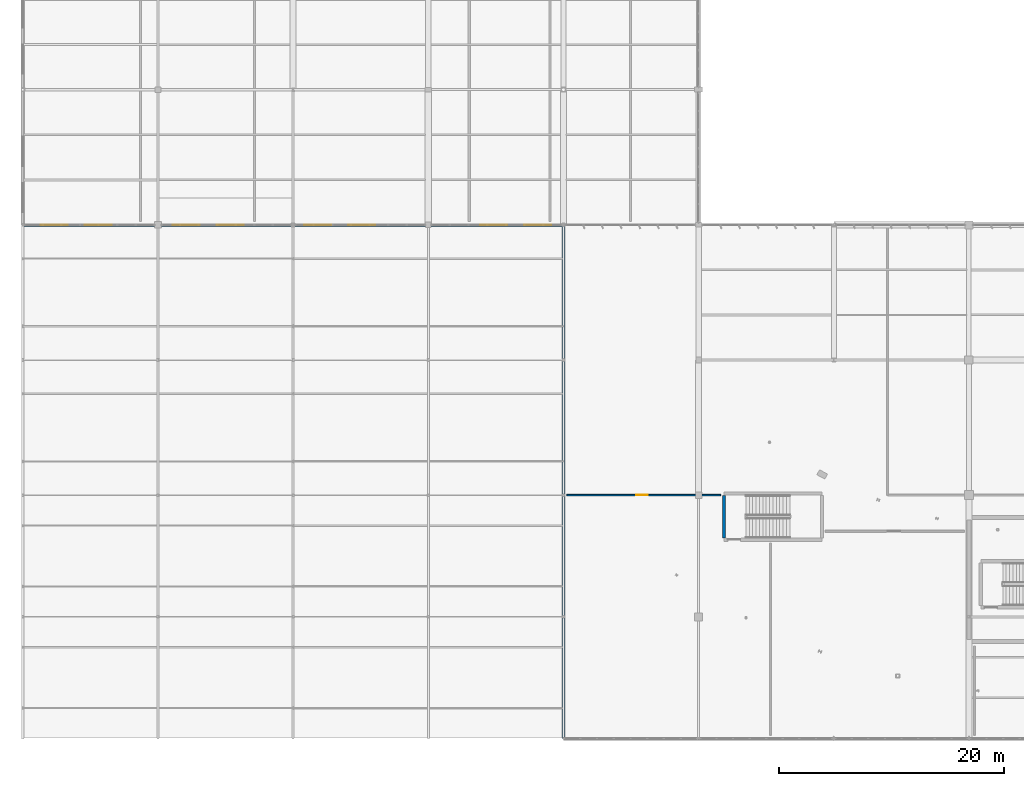
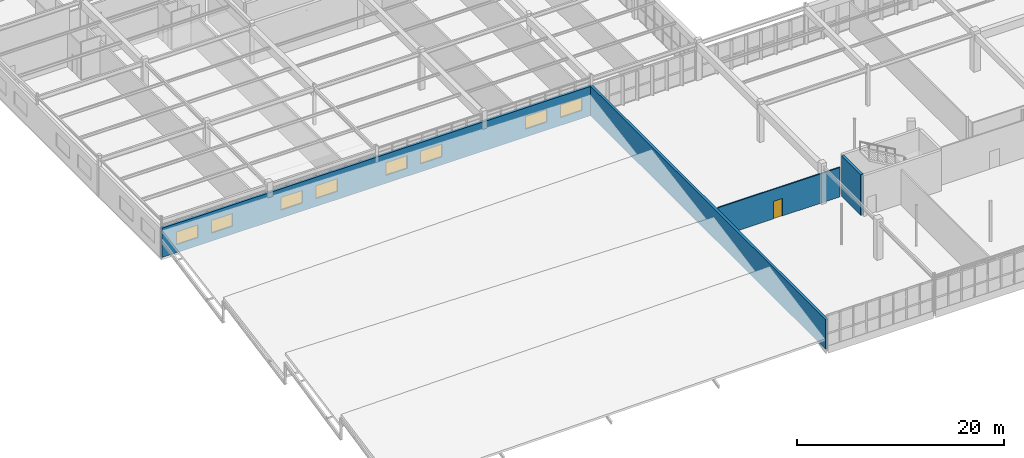
# One storey, part 189 of 226: 8 windows, 4 walls, 1 door, 9 openings.
"""IFC4 building model written with IfcOpenShell, lengths in metres."""

from ifc_helpers import new_model, si_unit, direction, frame, frame_2d, origin, place, context, subcontext, project, spatial, rectangle, extrude, material, layer, layer_set, type_object, element, fill, save


model = new_model("IFC4")

# Units and contexts
model_context = context("Model", 3, precision=1e-05, world=origin(), true_north=direction((0.0, 1.0)))
body_context = subcontext(model_context, "Body", "Model", "MODEL_VIEW")
ifc_project = project(units=[si_unit("LENGTHUNIT", "METRE"), si_unit("AREAUNIT", "SQUARE_METRE"), si_unit("VOLUMEUNIT", "CUBIC_METRE"), si_unit("PLANEANGLEUNIT", "RADIAN"), si_unit("MASSUNIT", "GRAM", prefix="KILO")], contexts=[model_context])

# Site, building, storey
site_placement = place(None, origin())
site = spatial("IfcSite", under=ifc_project, at=site_placement, CompositionType="ELEMENT")
building_placement = place(site_placement, origin())
building = spatial("IfcBuilding", under=site, at=building_placement, Name="Tarnwether General Hospital", CompositionType="ELEMENT")
storey_placement = place(building_placement, frame((0.0, 0.0, 4.800048828125)))
storey = spatial("IfcBuildingStorey", under=building, at=storey_placement, Name="L01", CompositionType="ELEMENT", Elevation=4.800048828125)

# Wall, openings, windows
ifc_material_1 = material(Name="Precast concrete 40 MPa", Category="concrete")
ifc_layer_1 = layer(ifc_material_1, 0.280029296875)
ifc_layer_set_1 = layer_set([ifc_layer_1], Name="Precast concrete 40 MPa")
wall_type_1 = type_object("IfcWallType", Name="WL-EX280", PredefinedType="STANDARD", material=ifc_layer_set_1)
wall_1_placement = place(storey_placement, frame((48.0, 45.60009765625, 0.0), z_axis=(0.0, 0.0, 1.0), x_axis=(-1.0, 0.0, 0.0)))
wall_1 = element("IfcWall", 1, at=wall_1_placement, inside=storey, type_object=wall_type_1, Name="L01 ICU South Step Wall EW-L01-0307", PredefinedType="STANDARD", context=body_context, shape_type="SweptSolid", body=[
    extrude(rectangle(XDim=48.0, YDim=0.280029296875, at=frame_2d((24.0, 0.0))), origin(), (0.0, 0.0, 1.0), 3.46484375),
])
opening_1_placement = place(wall_1_placement, frame((1.10009765625, 0.0, 0.949951171875)))
opening_1 = element("IfcOpeningElement", 2, at=opening_1_placement, cuts=wall_1, Name="Opening W-05", PredefinedType="OPENING", context=body_context, shape_type="SweptSolid", body=[
    extrude(rectangle(XDim=2.39990234375, YDim=1.5, at=frame_2d((1.199951171875, 0.75))), frame((0.0, 0.14990234375, 0.0), z_axis=(0.0, -1.0, 0.0), x_axis=(1.0, 0.0, 0.0)), (0.0, 0.0, 1.0), 0.300048828125),
])
opening_2_placement = place(wall_1_placement, frame((5.0, 0.0, 0.949951171875)))
opening_2 = element("IfcOpeningElement", 3, at=opening_2_placement, cuts=wall_1, Name="Opening W-05", PredefinedType="OPENING", context=body_context, shape_type="SweptSolid", body=[
    extrude(rectangle(XDim=2.39990234375, YDim=1.5, at=frame_2d((1.199951171875, 0.75))), frame((0.0, 0.14990234375, 0.0), z_axis=(0.0, -1.0, 0.0), x_axis=(1.0, 0.0, 0.0)), (0.0, 0.0, 1.0), 0.300048828125),
])
opening_3_placement = place(wall_1_placement, frame((16.699951171875, 0.0, 0.949951171875)))
opening_3 = element("IfcOpeningElement", 4, at=opening_3_placement, cuts=wall_1, Name="Opening W-05", PredefinedType="OPENING", context=body_context, shape_type="SweptSolid", body=[
    extrude(rectangle(XDim=2.39990234375, YDim=1.5, at=frame_2d((1.199951171875, 0.75))), frame((0.0, 0.14990234375, 0.0), z_axis=(0.0, -1.0, 0.0), x_axis=(1.0, 0.0, 0.0)), (0.0, 0.0, 1.0), 0.300048828125),
])
opening_4_placement = place(wall_1_placement, frame((20.60009765625, 0.0, 0.949951171875)))
opening_4 = element("IfcOpeningElement", 5, at=opening_4_placement, cuts=wall_1, Name="Opening W-05", PredefinedType="OPENING", context=body_context, shape_type="SweptSolid", body=[
    extrude(rectangle(XDim=2.39990234375, YDim=1.5, at=frame_2d((1.199951171875, 0.75))), frame((0.0, 0.14990234375, 0.0), z_axis=(0.0, -1.0, 0.0), x_axis=(1.0, 0.0, 0.0)), (0.0, 0.0, 1.0), 0.300048828125),
])
opening_5_placement = place(wall_1_placement, frame((28.39990234375, 0.0, 0.949951171875)))
opening_5 = element("IfcOpeningElement", 6, at=opening_5_placement, cuts=wall_1, Name="Opening W-05", PredefinedType="OPENING", context=body_context, shape_type="SweptSolid", body=[
    extrude(rectangle(XDim=2.39990234375, YDim=1.5, at=frame_2d((1.199951171875, 0.75))), frame((0.0, 0.14990234375, 0.0), z_axis=(0.0, -1.0, 0.0), x_axis=(1.0, 0.0, 0.0)), (0.0, 0.0, 1.0), 0.300048828125),
])
opening_6_placement = place(wall_1_placement, frame((32.300048828125, 0.0, 0.949951171875)))
opening_6 = element("IfcOpeningElement", 7, at=opening_6_placement, cuts=wall_1, Name="Opening W-05", PredefinedType="OPENING", context=body_context, shape_type="SweptSolid", body=[
    extrude(rectangle(XDim=2.39990234375, YDim=1.5, at=frame_2d((1.199951171875, 0.75))), frame((0.0, 0.14990234375, 0.0), z_axis=(0.0, -1.0, 0.0), x_axis=(1.0, 0.0, 0.0)), (0.0, 0.0, 1.0), 0.300048828125),
])
opening_7_placement = place(wall_1_placement, frame((40.10009765625, 0.0, 0.949951171875)))
opening_7 = element("IfcOpeningElement", 8, at=opening_7_placement, cuts=wall_1, Name="Opening W-05", PredefinedType="OPENING", context=body_context, shape_type="SweptSolid", body=[
    extrude(rectangle(XDim=2.39990234375, YDim=1.5, at=frame_2d((1.199951171875, 0.75))), frame((0.0, 0.14990234375, 0.0), z_axis=(0.0, -1.0, 0.0), x_axis=(1.0, 0.0, 0.0)), (0.0, 0.0, 1.0), 0.300048828125),
])
opening_8_placement = place(wall_1_placement, frame((44.0, 0.0, 0.949951171875)))
opening_8 = element("IfcOpeningElement", 9, at=opening_8_placement, cuts=wall_1, Name="Opening W-05", PredefinedType="OPENING", context=body_context, shape_type="SweptSolid", body=[
    extrude(rectangle(XDim=2.39990234375, YDim=1.5, at=frame_2d((1.199951171875, 0.75))), frame((0.0, 0.14990234375, 0.0), z_axis=(0.0, -1.0, 0.0), x_axis=(1.0, 0.0, 0.0)), (0.0, 0.0, 1.0), 0.300048828125),
])
ifc_material_2 = material(Name="Double glazed low-E glass", Category="glass")
window_type = type_object("IfcWindowType", Name="WN-05", PartitioningType="TRIPLE_PANEL_VERTICAL", PredefinedType="WINDOW", material=ifc_material_2)
window_1_placement = place(opening_1_placement, origin())
window_1 = element("IfcWindow", 10, at=window_1_placement, inside=storey, type_object=window_type, Name="Window WN-L01-0099", OverallHeight=1.5, OverallWidth=2.39990234375, PartitioningType="TRIPLE_PANEL_VERTICAL", PredefinedType="WINDOW", context=body_context, shape_type="SweptSolid", body=[
    extrude(rectangle(XDim=2.39990234375, YDim=1.5, at=frame_2d((1.199951171875, 0.75))), frame((0.0, 0.030029296875, 0.0), z_axis=(0.0, -1.0, 0.0), x_axis=(1.0, 0.0, 0.0)), (0.0, 0.0, 1.0), 0.06005859375),
])
fill(opening_1, window_1)
window_2_placement = place(opening_2_placement, origin())
window_2 = element("IfcWindow", 11, at=window_2_placement, inside=storey, type_object=window_type, Name="Window WN-L01-0100", OverallHeight=1.5, OverallWidth=2.39990234375, PartitioningType="TRIPLE_PANEL_VERTICAL", PredefinedType="WINDOW", context=body_context, shape_type="SweptSolid", body=[
    extrude(rectangle(XDim=2.39990234375, YDim=1.5, at=frame_2d((1.199951171875, 0.75))), frame((0.0, 0.030029296875, 0.0), z_axis=(0.0, -1.0, 0.0), x_axis=(1.0, 0.0, 0.0)), (0.0, 0.0, 1.0), 0.06005859375),
])
fill(opening_2, window_2)
window_3_placement = place(opening_3_placement, origin())
window_3 = element("IfcWindow", 12, at=window_3_placement, inside=storey, type_object=window_type, Name="Window WN-L01-0101", OverallHeight=1.5, OverallWidth=2.39990234375, PartitioningType="TRIPLE_PANEL_VERTICAL", PredefinedType="WINDOW", context=body_context, shape_type="SweptSolid", body=[
    extrude(rectangle(XDim=2.39990234375, YDim=1.5, at=frame_2d((1.199951171875, 0.75))), frame((0.0, 0.030029296875, 0.0), z_axis=(0.0, -1.0, 0.0), x_axis=(1.0, 0.0, 0.0)), (0.0, 0.0, 1.0), 0.06005859375),
])
fill(opening_3, window_3)
window_4_placement = place(opening_4_placement, origin())
window_4 = element("IfcWindow", 13, at=window_4_placement, inside=storey, type_object=window_type, Name="Window WN-L01-0102", OverallHeight=1.5, OverallWidth=2.39990234375, PartitioningType="TRIPLE_PANEL_VERTICAL", PredefinedType="WINDOW", context=body_context, shape_type="SweptSolid", body=[
    extrude(rectangle(XDim=2.39990234375, YDim=1.5, at=frame_2d((1.199951171875, 0.75))), frame((0.0, 0.030029296875, 0.0), z_axis=(0.0, -1.0, 0.0), x_axis=(1.0, 0.0, 0.0)), (0.0, 0.0, 1.0), 0.06005859375),
])
fill(opening_4, window_4)
window_5_placement = place(opening_5_placement, origin())
window_5 = element("IfcWindow", 14, at=window_5_placement, inside=storey, type_object=window_type, Name="Window WN-L01-0103", OverallHeight=1.5, OverallWidth=2.39990234375, PartitioningType="TRIPLE_PANEL_VERTICAL", PredefinedType="WINDOW", context=body_context, shape_type="SweptSolid", body=[
    extrude(rectangle(XDim=2.39990234375, YDim=1.5, at=frame_2d((1.199951171875, 0.75))), frame((0.0, 0.030029296875, 0.0), z_axis=(0.0, -1.0, 0.0), x_axis=(1.0, 0.0, 0.0)), (0.0, 0.0, 1.0), 0.06005859375),
])
fill(opening_5, window_5)
window_6_placement = place(opening_6_placement, origin())
window_6 = element("IfcWindow", 15, at=window_6_placement, inside=storey, type_object=window_type, Name="Window WN-L01-0104", OverallHeight=1.5, OverallWidth=2.39990234375, PartitioningType="TRIPLE_PANEL_VERTICAL", PredefinedType="WINDOW", context=body_context, shape_type="SweptSolid", body=[
    extrude(rectangle(XDim=2.39990234375, YDim=1.5, at=frame_2d((1.199951171875, 0.75))), frame((0.0, 0.030029296875, 0.0), z_axis=(0.0, -1.0, 0.0), x_axis=(1.0, 0.0, 0.0)), (0.0, 0.0, 1.0), 0.06005859375),
])
fill(opening_6, window_6)
window_7_placement = place(opening_7_placement, origin())
window_7 = element("IfcWindow", 16, at=window_7_placement, inside=storey, type_object=window_type, Name="Window WN-L01-0105", OverallHeight=1.5, OverallWidth=2.39990234375, PartitioningType="TRIPLE_PANEL_VERTICAL", PredefinedType="WINDOW", context=body_context, shape_type="SweptSolid", body=[
    extrude(rectangle(XDim=2.39990234375, YDim=1.5, at=frame_2d((1.199951171875, 0.75))), frame((0.0, 0.030029296875, 0.0), z_axis=(0.0, -1.0, 0.0), x_axis=(1.0, 0.0, 0.0)), (0.0, 0.0, 1.0), 0.06005859375),
])
fill(opening_7, window_7)
window_8_placement = place(opening_8_placement, origin())
window_8 = element("IfcWindow", 17, at=window_8_placement, inside=storey, type_object=window_type, Name="Window WN-L01-0106", OverallHeight=1.5, OverallWidth=2.39990234375, PartitioningType="TRIPLE_PANEL_VERTICAL", PredefinedType="WINDOW", context=body_context, shape_type="SweptSolid", body=[
    extrude(rectangle(XDim=2.39990234375, YDim=1.5, at=frame_2d((1.199951171875, 0.75))), frame((0.0, 0.030029296875, 0.0), z_axis=(0.0, -1.0, 0.0), x_axis=(1.0, 0.0, 0.0)), (0.0, 0.0, 1.0), 0.06005859375),
])
fill(opening_8, window_8)

# Wall
wall_2_placement = place(storey_placement, frame((48.0, 0.0, 0.0), z_axis=(0.0, 0.0, 1.0), x_axis=(0.0, 1.0, 0.0)))
element("IfcWall", 18, at=wall_2_placement, inside=storey, type_object=wall_type_1, Name="L01 Endoscopy West Sawtooth Overlook Wall EW-L01-0308", PredefinedType="STANDARD", context=body_context, shape_type="SweptSolid", body=[
    extrude(rectangle(XDim=45.60009765625, YDim=0.280029296875, at=frame_2d((22.800048828125, 0.0))), origin(), (0.0, 0.0, 1.0), 3.514892578125),
])

# Wall, opening, door
ifc_material_3 = material(Name="Gypsum plasterboard")
ifc_layer_2 = layer(ifc_material_3, 0.139892578125)
ifc_layer_set_2 = layer_set([ifc_layer_2], Name="Gypsum plasterboard")
wall_type_2 = type_object("IfcWallType", Name="WL-PT140", PredefinedType="PARTITIONING", material=ifc_layer_set_2)
wall_3_placement = place(storey_placement, frame((48.300048828125, 21.60009765625, 0.0), z_axis=(0.0, 0.0, 1.0), x_axis=(1.0, 0.0, 0.0)))
wall_3 = element("IfcWall", 19, at=wall_3_placement, inside=storey, type_object=wall_type_2, Name="Interior Partition PT-L01-0211", PredefinedType="PARTITIONING", context=body_context, shape_type="SweptSolid", body=[
    extrude(rectangle(XDim=13.64990234375, YDim=0.139892578125, at=frame_2d((6.824951171875, 0.0))), origin(), (0.0, 0.0, 1.0), 3.47998046875),
])
opening_9_placement = place(wall_3_placement, frame((6.175048828125, 0.0, 0.0)))
opening_9 = element("IfcOpeningElement", 20, at=opening_9_placement, cuts=wall_3, Name="Opening D-09", PredefinedType="OPENING", context=body_context, shape_type="SweptSolid", body=[
    extrude(rectangle(XDim=1.02001953125, YDim=2.080078125, at=frame_2d((0.510009765625, 1.0400390625))), frame((0.0, 0.080078125, 0.0), z_axis=(0.0, -1.0, 0.0), x_axis=(1.0, 0.0, 0.0)), (0.0, 0.0, 1.0), 0.159912109375),
])
ifc_material_4 = material(Name="Anodised aluminium", Category="aluminium")
door_type = type_object("IfcDoorType", Name="DR-IN09", OperationType="NOTDEFINED", PredefinedType="DOOR", material=ifc_material_4)
door_placement = place(opening_9_placement, origin())
door = element("IfcDoor", 21, at=door_placement, inside=storey, type_object=door_type, Name="Interior Door DR-L01-0116", OperationType="SINGLE_SWING_RIGHT", OverallHeight=2.080078125, OverallWidth=1.02001953125, PredefinedType="DOOR", context=body_context, shape_type="SweptSolid", body=[
    extrude(rectangle(XDim=1.02001953125, YDim=2.080078125, at=frame_2d((0.510009765625, 1.0400390625))), frame((0.0, 0.02490234375, 0.0), z_axis=(0.0, -1.0, 0.0), x_axis=(1.0, 0.0, 0.0)), (0.0, 0.0, 1.0), 0.050048828125),
])
fill(opening_9, door)

# Wall
ifc_material_5 = material(Name="Concrete 50 MPa", Category="concrete")
ifc_layer_3 = layer(ifc_material_5, 0.300048828125)
ifc_layer_set_3 = layer_set([ifc_layer_3], Name="Concrete 50 MPa")
wall_type_3 = type_object("IfcWallType", Name="WL-SW300", PredefinedType="SHEAR", material=ifc_layer_set_3)
wall_4_placement = place(storey_placement, frame((62.25, 17.820068359375, 0.0), z_axis=(0.0, 0.0, 1.0), x_axis=(0.0, 1.0, 0.0)))
element("IfcWall", 22, at=wall_4_placement, inside=storey, type_object=wall_type_3, Name="Stairwell Shear Wall STW-ST-09-L01-L", PredefinedType="SHEAR", context=body_context, shape_type="SweptSolid", body=[
    extrude(rectangle(XDim=3.760009765625, YDim=0.300048828125, at=frame_2d((1.8798828125, 0.0))), origin(), (0.0, 0.0, 1.0), 4.800048828125),
])

save(model, "model.ifc")
